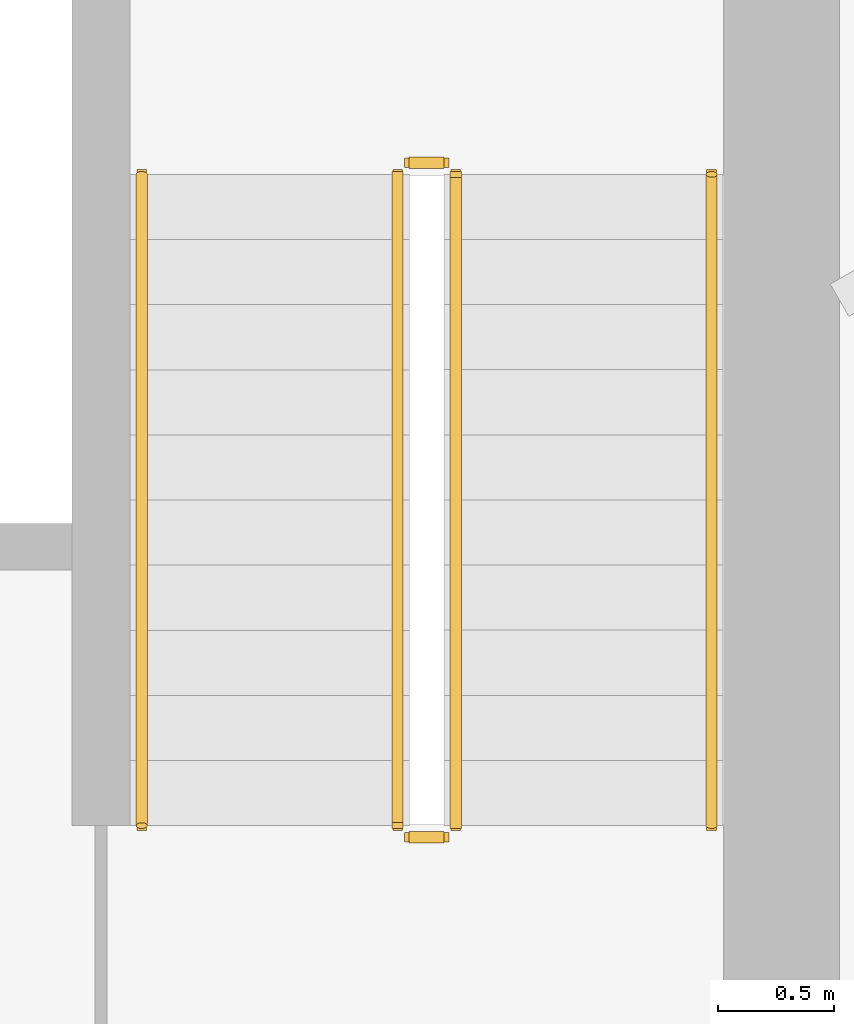
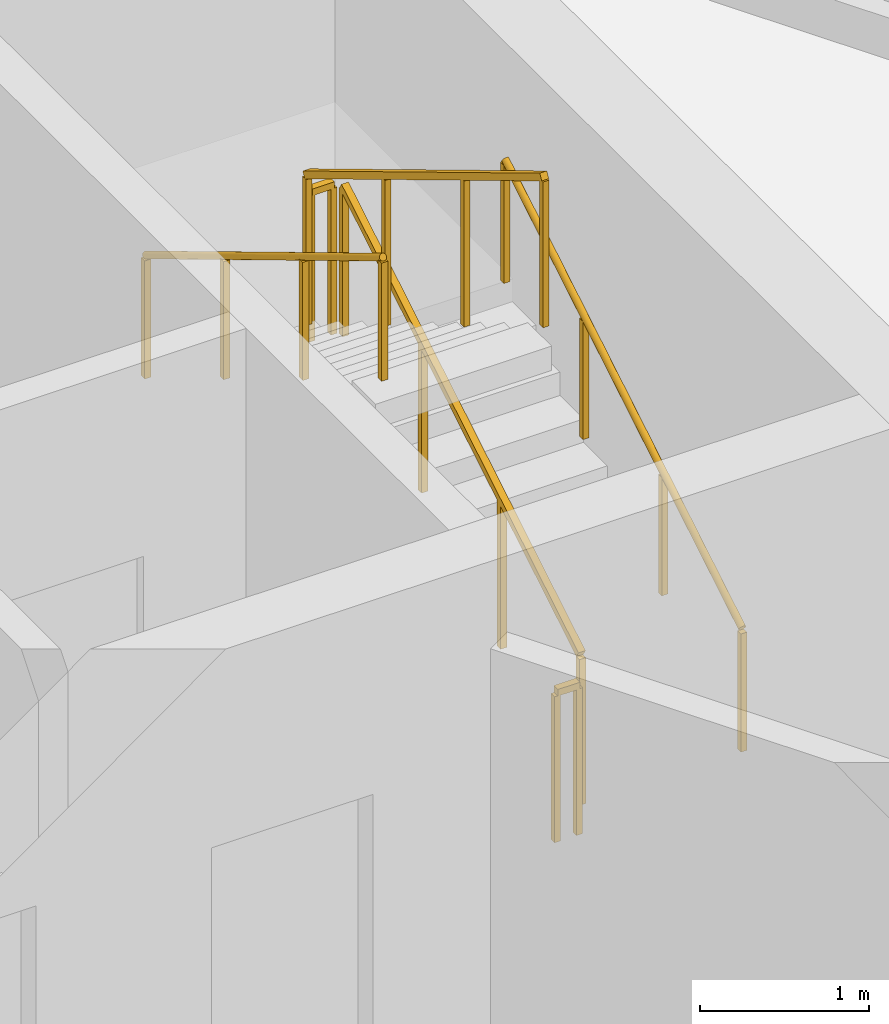
# One storey, part 14 of 14: 6 railings.
"""IFC4 building model written with IfcOpenShell, lengths in metres."""

from ifc_helpers import new_model, si_unit, direction, frame, origin, origin_2d, place, context, subcontext, project, spatial, rectangle, circle, extrude, material, type_object, element, save


model = new_model("IFC4")

# Units and contexts
model_context = context("Model", 3, precision=1e-05, world=origin(), true_north=direction((0.0, 1.0)))
body_context = subcontext(model_context, "Body", "Model", "MODEL_VIEW")
ifc_project = project(units=[si_unit("LENGTHUNIT", "METRE"), si_unit("AREAUNIT", "SQUARE_METRE"), si_unit("VOLUMEUNIT", "CUBIC_METRE"), si_unit("PLANEANGLEUNIT", "RADIAN"), si_unit("MASSUNIT", "GRAM", prefix="KILO")], contexts=[model_context])

# Site, building, storey
site_placement = place(None, origin())
site = spatial("IfcSite", under=ifc_project, at=site_placement, CompositionType="ELEMENT")
building_placement = place(site_placement, origin())
building = spatial("IfcBuilding", under=site, at=building_placement, Name="Apuvela Tower Hotel", CompositionType="ELEMENT")
storey_placement = place(building_placement, frame((0.0, 0.0, 72.39990234375)))
storey = spatial("IfcBuildingStorey", under=building, at=storey_placement, Name="L15", CompositionType="ELEMENT", Elevation=72.39990234375)

# Railings
ifc_material_1 = material(Name="Steel S275 balustrade", Category="steel")
railing_type_1 = type_object("IfcRailingType", Name="COR-GUARD-1100", PredefinedType="GUARDRAIL", material=ifc_material_1)
railing_1_placement = place(storey_placement, frame((3.85009765625, 14.60009765625, 0.168212890625)))
element("IfcRailing", 1, at=railing_1_placement, inside=storey, type_object=railing_type_1, Name="L15 ST1 stair guard 1", PredefinedType="GUARDRAIL", context=body_context, shape_type="SweptSolid", body=[
    extrude(rectangle(XDim=0.048095703125, YDim=0.048095703125, at=origin_2d()), frame((0.0, 0.0, 1.076171875), z_axis=(0.0, 0.857222391501, 0.514946377315), x_axis=(-1.0, 0.0, 0.0)), (0.0, 0.0, 1.0), 3.26611328125),
    extrude(rectangle(XDim=0.0419921875, YDim=0.0419921875, at=origin_2d()), origin(), (0.0, 0.0, 1.0), 1.052001953125),
    extrude(rectangle(XDim=0.0419921875, YDim=0.0419921875, at=origin_2d()), frame((0.0, 0.933349609375, 0.560546875)), (0.0, 0.0, 1.0), 1.052001953125),
    extrude(rectangle(XDim=0.0419921875, YDim=0.0419921875, at=origin_2d()), frame((0.0, 1.866455078125, 1.121337890625)), (0.0, 0.0, 1.0), 1.052001953125),
    extrude(rectangle(XDim=0.0419921875, YDim=0.0419921875, at=origin_2d()), frame((0.0, 2.7998046875, 1.681884765625)), (0.0, 0.0, 1.0), 1.052001953125),
])
railing_2_placement = place(storey_placement, frame((3.800048828125, 17.449951171875, 1.85009765625)))
element("IfcRailing", 2, at=railing_2_placement, inside=storey, type_object=railing_type_1, Name="L15 ST1 stair guard 2", PredefinedType="GUARDRAIL", context=body_context, shape_type="SweptSolid", body=[
    extrude(rectangle(XDim=0.048095703125, YDim=0.048095703125, at=origin_2d()), frame((0.0, 0.0, 1.076171875), z_axis=(-1.0, 0.0, 0.0), x_axis=(0.0, -1.0, 0.0)), (0.0, 0.0, 1.0), 0.150146484375),
    extrude(rectangle(XDim=0.0419921875, YDim=0.0419921875, at=origin_2d()), origin(), (0.0, 0.0, 1.0), 1.052001953125),
    extrude(rectangle(XDim=0.0419921875, YDim=0.0419921875, at=origin_2d()), frame((-0.150146484375, 0.0, 0.0)), (0.0, 0.0, 1.0), 1.052001953125),
])
railing_3_placement = place(storey_placement, frame((3.60009765625, 17.39990234375, 2.018310546875)))
element("IfcRailing", 3, at=railing_3_placement, inside=storey, type_object=railing_type_1, Name="L15 ST1 stair guard 3", PredefinedType="GUARDRAIL", context=body_context, shape_type="SweptSolid", body=[
    extrude(rectangle(XDim=0.048095703125, YDim=0.048095703125, at=origin_2d()), frame((0.0, 0.0, 1.076171875), z_axis=(0.0, -0.857222391501, 0.514946377315), x_axis=(1.0, 0.0, 0.0)), (0.0, 0.0, 1.0), 3.26611328125),
    extrude(rectangle(XDim=0.0419921875, YDim=0.0419921875, at=origin_2d()), origin(), (0.0, 0.0, 1.0), 1.052001953125),
    extrude(rectangle(XDim=0.0419921875, YDim=0.0419921875, at=origin_2d()), frame((0.0, -0.933349609375, 0.560546875)), (0.0, 0.0, 1.0), 1.052001953125),
    extrude(rectangle(XDim=0.0419921875, YDim=0.0419921875, at=origin_2d()), frame((0.0, -1.866455078125, 1.121337890625)), (0.0, 0.0, 1.0), 1.052001953125),
    extrude(rectangle(XDim=0.0419921875, YDim=0.0419921875, at=origin_2d()), frame((0.0, -2.7998046875, 1.681884765625)), (0.0, 0.0, 1.0), 1.052001953125),
])
railing_4_placement = place(storey_placement, frame((3.800048828125, 14.550048828125, 0.0)))
element("IfcRailing", 4, at=railing_4_placement, inside=storey, type_object=railing_type_1, Name="L15 ST1 stair guard 4", PredefinedType="GUARDRAIL", context=body_context, shape_type="SweptSolid", body=[
    extrude(rectangle(XDim=0.048095703125, YDim=0.048095703125, at=origin_2d()), frame((0.0, 0.0, 1.076171875), z_axis=(-1.0, 0.0, 0.0), x_axis=(0.0, -1.0, 0.0)), (0.0, 0.0, 1.0), 0.150146484375),
    extrude(rectangle(XDim=0.0419921875, YDim=0.0419921875, at=origin_2d()), origin(), (0.0, 0.0, 1.0), 1.052001953125),
    extrude(rectangle(XDim=0.0419921875, YDim=0.0419921875, at=origin_2d()), frame((-0.150146484375, 0.0, 0.0)), (0.0, 0.0, 1.0), 1.052001953125),
])
ifc_material_2 = material(Name="Stainless steel 316 handrail", Category="steel")
railing_type_2 = type_object("IfcRailingType", Name="COR-HANDRAIL-900", PredefinedType="HANDRAIL", material=ifc_material_2)
railing_5_placement = place(storey_placement, frame((4.949951171875, 14.60009765625, 0.168212890625)))
element("IfcRailing", 5, at=railing_5_placement, inside=storey, type_object=railing_type_2, Name="L15 ST1 stair handrail 1", PredefinedType="HANDRAIL", context=body_context, shape_type="SweptSolid", body=[
    extrude(circle(Radius=0.02392578125, at=origin_2d()), frame((0.0, 0.0, 0.8759765625), z_axis=(0.0, 0.857222391501, 0.514946377315), x_axis=(-1.0, 0.0, 0.0)), (0.0, 0.0, 1.0), 3.26611328125),
    extrude(rectangle(XDim=0.0419921875, YDim=0.0419921875, at=origin_2d()), origin(), (0.0, 0.0, 1.0), 0.851806640625),
    extrude(rectangle(XDim=0.0419921875, YDim=0.0419921875, at=origin_2d()), frame((0.0, 0.933349609375, 0.560546875)), (0.0, 0.0, 1.0), 0.851806640625),
    extrude(rectangle(XDim=0.0419921875, YDim=0.0419921875, at=origin_2d()), frame((0.0, 1.866455078125, 1.121337890625)), (0.0, 0.0, 1.0), 0.851806640625),
    extrude(rectangle(XDim=0.0419921875, YDim=0.0419921875, at=origin_2d()), frame((0.0, 2.7998046875, 1.681884765625)), (0.0, 0.0, 1.0), 0.851806640625),
])
railing_6_placement = place(storey_placement, frame((2.5, 17.39990234375, 2.018310546875)))
element("IfcRailing", 6, at=railing_6_placement, inside=storey, type_object=railing_type_2, Name="L15 ST1 stair handrail 2", PredefinedType="HANDRAIL", context=body_context, shape_type="SweptSolid", body=[
    extrude(circle(Radius=0.02392578125, at=origin_2d()), frame((0.0, 0.0, 0.8759765625), z_axis=(0.0, -0.857222391501, 0.514946377315), x_axis=(1.0, 0.0, 0.0)), (0.0, 0.0, 1.0), 3.26611328125),
    extrude(rectangle(XDim=0.0419921875, YDim=0.0419921875, at=origin_2d()), origin(), (0.0, 0.0, 1.0), 0.851806640625),
    extrude(rectangle(XDim=0.0419921875, YDim=0.0419921875, at=origin_2d()), frame((0.0, -0.933349609375, 0.560546875)), (0.0, 0.0, 1.0), 0.851806640625),
    extrude(rectangle(XDim=0.0419921875, YDim=0.0419921875, at=origin_2d()), frame((0.0, -1.866455078125, 1.121337890625)), (0.0, 0.0, 1.0), 0.851806640625),
    extrude(rectangle(XDim=0.0419921875, YDim=0.0419921875, at=origin_2d()), frame((0.0, -2.7998046875, 1.681884765625)), (0.0, 0.0, 1.0), 0.851806640625),
])

save(model, "model.ifc")
